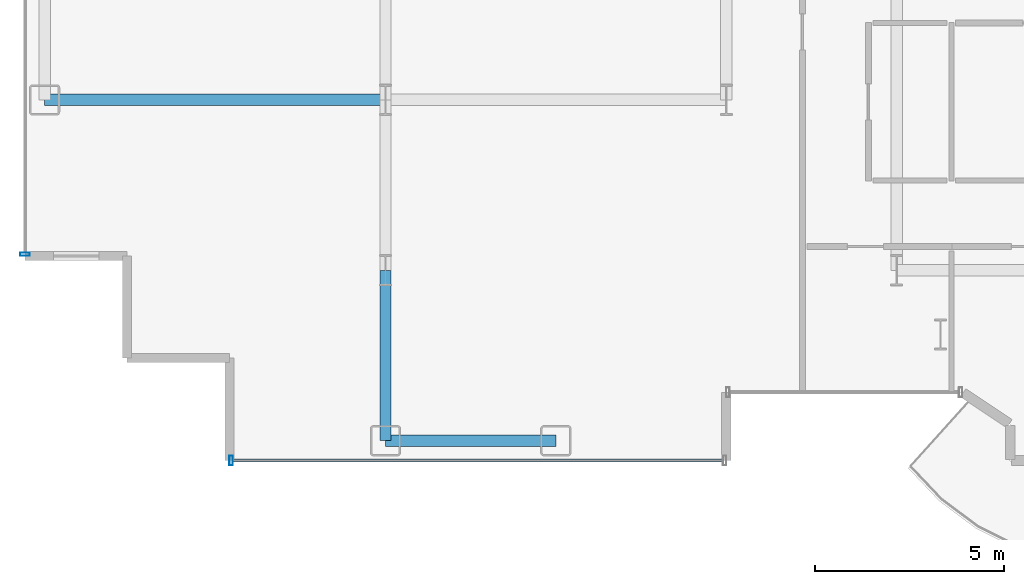
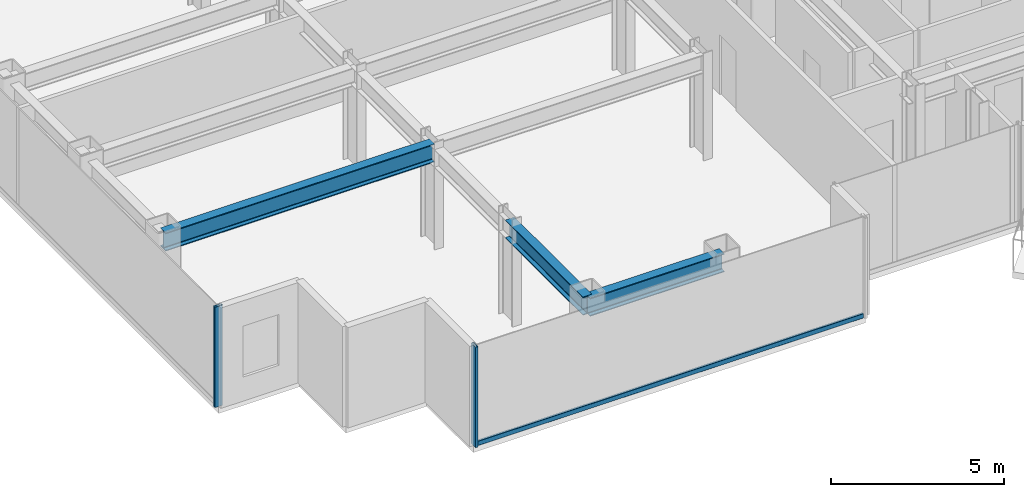
# One storey, part 3 of 22: 3 beams, 3 members, 2 elements without a shape of their own.
"""IFC4 building model written with IfcOpenShell, lengths in metres."""

from ifc_helpers import new_model, si_unit, direction, frame, origin, origin_2d, place, context, subcontext, project, spatial, hollow_rectangle, i_section, extrude, source, transform, mapped, material, layer, layer_set, material_profile, profile_set, type_object, element, aggregate, save


model = new_model("IFC4")

# Units and contexts
model_context = context("Model", 3, precision=1e-05, world=origin(), true_north=direction((0.0, 1.0)))
body_context = subcontext(model_context, "Body", "Model", "MODEL_VIEW")
ifc_project = project(units=[si_unit("LENGTHUNIT", "METRE"), si_unit("AREAUNIT", "SQUARE_METRE"), si_unit("VOLUMEUNIT", "CUBIC_METRE"), si_unit("PLANEANGLEUNIT", "RADIAN"), si_unit("MASSUNIT", "GRAM", prefix="KILO")], contexts=[model_context])

# Site, building, storey
site_placement = place(None, origin())
site = spatial("IfcSite", under=ifc_project, at=site_placement, CompositionType="ELEMENT")
building_placement = place(site_placement, origin())
building = spatial("IfcBuilding", under=site, at=building_placement, Name="Nefas-Gora Pilgrimage Tower", CompositionType="ELEMENT")
storey_placement = place(building_placement, frame((0.0, 0.0, 179.199951171875)))
storey = spatial("IfcBuildingStorey", under=building, at=storey_placement, Name="L44", CompositionType="ELEMENT", Elevation=179.199951171875)

# Beams
ifc_material_1 = material(Name="Steel S355", Category="steel")
ifc_material_profile_1 = material_profile(ifc_material_1, i_section(OverallWidth=0.300048828125, OverallDepth=0.64990234375, WebThickness=0.01611328125, FlangeThickness=0.031005859375, FilletRadius=0.027099609375, at=origin_2d()), Name="HEB 650")
ifc_profile_set_1 = profile_set([ifc_material_profile_1], Name="Steel S355")
beam_type_1 = type_object("IfcBeamType", Name="BM-SPN-HEB500", PredefinedType="SPANDREL", material=ifc_profile_set_1)
shared_shape_1 = source(origin(), body_context, "Body", "SweptSolid", [
    extrude(i_section(OverallWidth=0.300048828125, OverallDepth=0.64990234375, WebThickness=0.01611328125, FlangeThickness=0.031005859375, FilletRadius=0.027099609375, at=origin_2d()), origin(), (0.0, 0.0, 1.0), 4.5),
])
beam_1_placement = place(storey_placement, frame((-24.75, -22.5, 3.22509765625), z_axis=(1.0, 0.0, 0.0), x_axis=(0.0, 1.0, 0.0)))
element("IfcBeam", 1, at=beam_1_placement, inside=storey, type_object=beam_type_1, Name="L44 SP-02 beam", PredefinedType="SPANDREL", context=body_context, shape_type="MappedRepresentation", body=[
    mapped(shared_shape_1, transform((0.0, 0.0, 0.0), x_axis=(1.0, 0.0, 0.0), y_axis=(0.0, 1.0, 0.0), z_axis=(0.0, 0.0, 1.0), scale=1.0)),
])
ifc_material_profile_2 = material_profile(ifc_material_1, i_section(OverallWidth=0.300048828125, OverallDepth=0.64990234375, WebThickness=0.01611328125, FlangeThickness=0.031005859375, FilletRadius=0.027099609375, at=origin_2d()), Name="HEB 650")
ifc_profile_set_2 = profile_set([ifc_material_profile_2], Name="Steel S355")
beam_type_2 = type_object("IfcBeamType", Name="BM-GIR-HEB650", PredefinedType="BEAM", material=ifc_profile_set_2)
shared_shape_2 = source(origin(), body_context, "Body", "SweptSolid", [
    extrude(i_section(OverallWidth=0.300048828125, OverallDepth=0.64990234375, WebThickness=0.01611328125, FlangeThickness=0.031005859375, FilletRadius=0.027099609375, at=origin_2d()), origin(), (0.0, 0.0, 1.0), 9.0),
])
beam_2_placement = place(storey_placement, frame((-33.75, -13.5, 3.22509765625), z_axis=(1.0, 0.0, 0.0), x_axis=(0.0, 1.0, 0.0)))
element("IfcBeam", 2, at=beam_2_placement, inside=storey, type_object=beam_type_2, Name="L44 G-03 beam", PredefinedType="BEAM", context=body_context, shape_type="MappedRepresentation", body=[
    mapped(shared_shape_2, transform((0.0, 0.0, 0.0), x_axis=(1.0, 0.0, 0.0), y_axis=(0.0, 1.0, 0.0), z_axis=(0.0, 0.0, 1.0), scale=1.0)),
])
shared_shape_3 = source(origin(), body_context, "Body", "SweptSolid", [
    extrude(i_section(OverallWidth=0.300048828125, OverallDepth=0.64990234375, WebThickness=0.01611328125, FlangeThickness=0.031005859375, FilletRadius=0.027099609375, at=origin_2d()), origin(), (0.0, 0.0, 1.0), 4.5),
])
beam_3_placement = place(storey_placement, frame((-24.75, -22.5, 3.22509765625), z_axis=(0.0, 1.0, 0.0), x_axis=(-1.0, 0.0, 0.0)))
element("IfcBeam", 3, at=beam_3_placement, inside=storey, type_object=beam_type_2, Name="L44 G-03 beam", PredefinedType="BEAM", context=body_context, shape_type="MappedRepresentation", body=[
    mapped(shared_shape_3, transform((0.0, 0.0, 0.0), x_axis=(1.0, 0.0, 0.0), y_axis=(0.0, 1.0, 0.0), z_axis=(0.0, 0.0, 1.0), scale=1.0)),
])

# Curtain wall, member
ifc_material_2 = material(Name="Dark ceramic-fritted solar-control aluminium-glass curtain wall", Category="aluminium")
ifc_layer = layer(ifc_material_2, 0.219970703125)
ifc_layer_set = layer_set([ifc_layer], Name="Dark ceramic-fritted solar-control aluminium-glass curtain wall")
curtain_wall_type = type_object("IfcCurtainWallType", Name="CW-SYS-3", PredefinedType="NOTDEFINED", material=ifc_layer_set)
curtain_wall_1_placement = place(storey_placement, origin())
curtain_wall_1 = element("IfcCurtainWall", 4, at=curtain_wall_1_placement, inside=storey, type_object=curtain_wall_type, Name="L44 Unitised Curtain Wall CW3", PredefinedType="NOTDEFINED")
ifc_material_3 = material(Name="Anodised architectural aluminium", Category="aluminium")
ifc_material_profile_3 = material_profile(ifc_material_3, hollow_rectangle(XDim=0.090087890625, YDim=0.260009765625, WallThickness=0.006103515625, InnerFilletRadius=0.006103515625, OuterFilletRadius=0.011962890625, at=origin_2d()), Name="ALU MULLION 90x260")
ifc_profile_set_3 = profile_set([ifc_material_profile_3], Name="Anodised architectural aluminium")
member_type_1 = type_object("IfcMemberType", Name="CWM-MUL-3", PredefinedType="MULLION", material=ifc_profile_set_3)
shared_shape_4 = source(origin(), body_context, "Body", "SweptSolid", [
    extrude(hollow_rectangle(XDim=0.090087890625, YDim=0.260009765625, WallThickness=0.006103515625, InnerFilletRadius=0.006103515625, OuterFilletRadius=0.011962890625, at=origin_2d()), origin(), (0.0, 0.0, 1.0), 3.550048828125),
])
member_1_placement = place(storey_placement, frame((-34.27001953125, -17.574951171875, 0.0), z_axis=(0.0, 0.0, 1.0), x_axis=(0.0, -1.0, 0.0)))
member_1 = element("IfcMember", 5, at=member_1_placement, type_object=member_type_1, Name="CW3 Mullion 2", PredefinedType="MULLION", context=body_context, shape_type="MappedRepresentation", body=[
    mapped(shared_shape_4, transform((0.0, 0.0, 0.0), x_axis=(1.0, 0.0, 0.0), y_axis=(0.0, 1.0, 0.0), z_axis=(0.0, 0.0, 1.0), scale=1.0)),
])
aggregate(curtain_wall_1, [member_1])

# Curtain wall, members
curtain_wall_2_placement = place(storey_placement, origin())
curtain_wall_2 = element("IfcCurtainWall", 6, at=curtain_wall_2_placement, inside=storey, type_object=curtain_wall_type, Name="L44 Unitised Curtain Wall CW3", PredefinedType="NOTDEFINED")
member_2_placement = place(storey_placement, frame((-28.824951171875, -23.02001953125, 0.0), z_axis=(0.0, 0.0, 1.0), x_axis=(1.0, 0.0, 0.0)))
member_2 = element("IfcMember", 7, at=member_2_placement, type_object=member_type_1, Name="CW3 Mullion 1", PredefinedType="MULLION", context=body_context, shape_type="MappedRepresentation", body=[
    mapped(shared_shape_4, transform((0.0, 0.0, 0.0), x_axis=(1.0, 0.0, 0.0), y_axis=(0.0, 1.0, 0.0), z_axis=(0.0, 0.0, 1.0), scale=1.0)),
])
ifc_material_profile_4 = material_profile(ifc_material_3, hollow_rectangle(XDim=0.080078125, YDim=0.159912109375, WallThickness=0.00439453125, InnerFilletRadius=0.00439453125, OuterFilletRadius=0.009033203125, at=origin_2d()), Name="ALU TRANSOM 80x160")
ifc_profile_set_4 = profile_set([ifc_material_profile_4], Name="Anodised architectural aluminium")
member_type_2 = type_object("IfcMemberType", Name="CWM-TRN-3", PredefinedType="USERDEFINED", material=ifc_profile_set_4)
shared_shape_5 = source(origin(), body_context, "Body", "SweptSolid", [
    extrude(hollow_rectangle(XDim=0.080078125, YDim=0.159912109375, WallThickness=0.00439453125, InnerFilletRadius=0.00439453125, OuterFilletRadius=0.009033203125, at=origin_2d()), origin(), (0.0, 0.0, 1.0), 12.93994140625),
])
member_3_placement = place(storey_placement, frame((-28.780029296875, -23.02001953125, 0.050048828125), z_axis=(1.0, 0.0, 0.0), x_axis=(0.0, 1.0, 0.0)))
member_3 = element("IfcMember", 8, at=member_3_placement, type_object=member_type_2, Name="CW3 Spandrel Transom", ObjectType="TRANSOM", PredefinedType="USERDEFINED", context=body_context, shape_type="MappedRepresentation", body=[
    mapped(shared_shape_5, transform((0.0, 0.0, 0.0), x_axis=(1.0, 0.0, 0.0), y_axis=(0.0, 1.0, 0.0), z_axis=(0.0, 0.0, 1.0), scale=1.0)),
])
aggregate(curtain_wall_2, [member_2, member_3])

save(model, "model.ifc")
